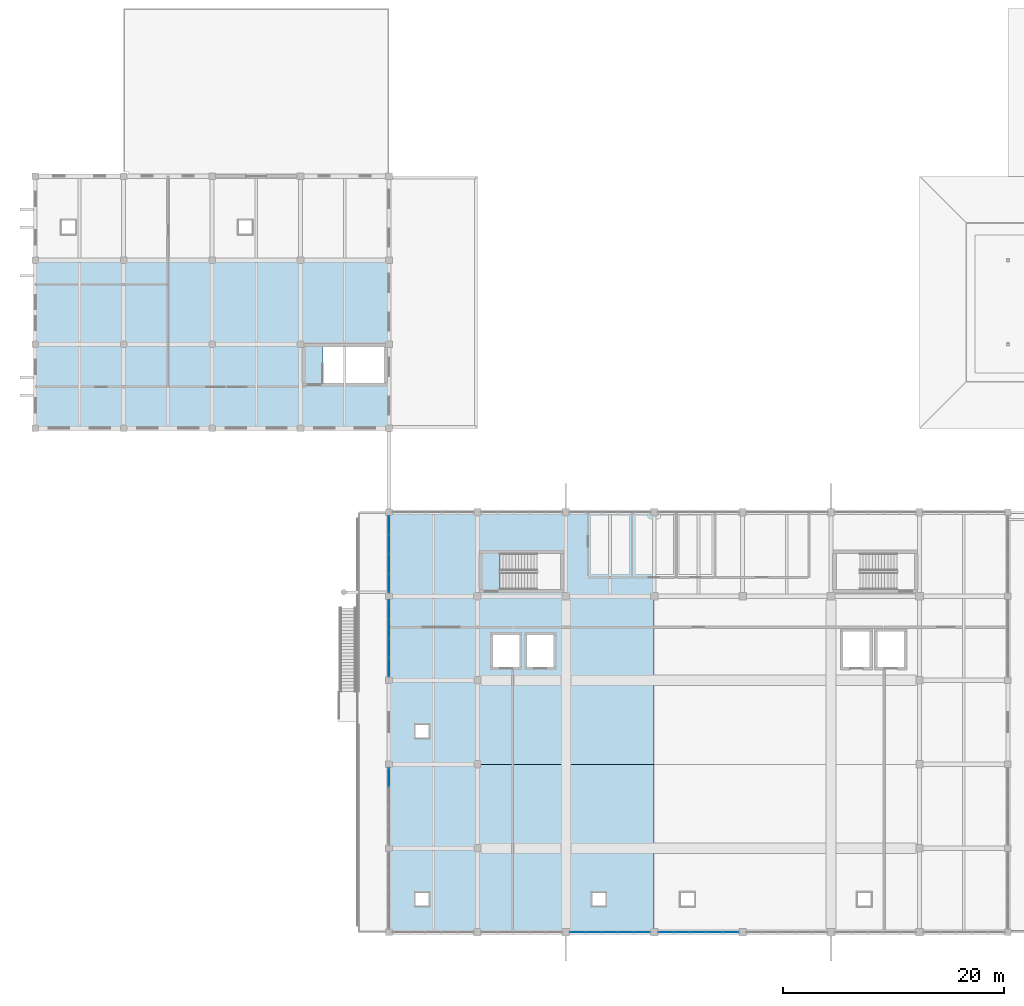
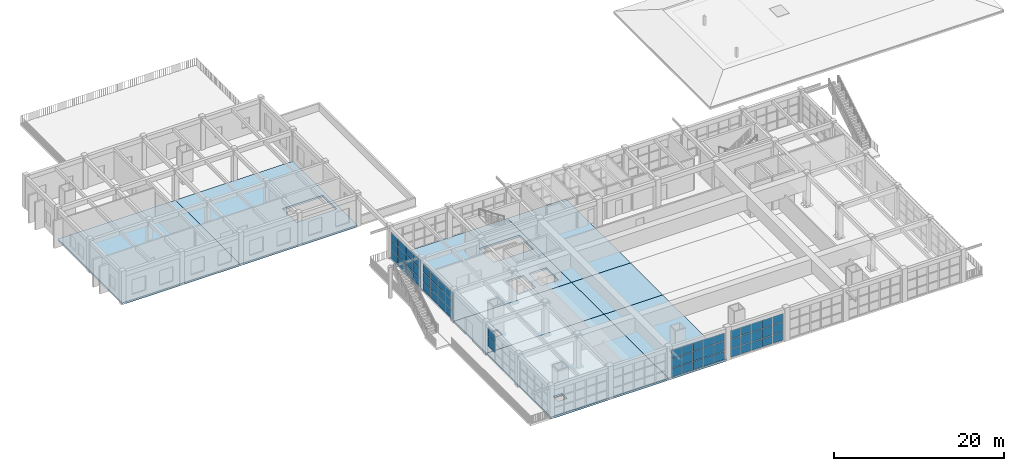
# One storey, part 30 of 50: 56 plates, 8 slabs, 5 elements without a shape of their own.
"""IFC4 building model written with IfcOpenShell, lengths in metres."""

from ifc_helpers import new_model, si_unit, direction, frame, origin, origin_2d, place, context, subcontext, project, spatial, polyline, rectangle, outline, extrude, material, layer, layer_set, type_object, element, aggregate, save


model = new_model("IFC4")

# Units and contexts
model_context = context("Model", 3, precision=1e-05, world=origin(), true_north=direction((0.0, 1.0)))
body_context = subcontext(model_context, "Body", "Model", "MODEL_VIEW")
ifc_project = project(units=[si_unit("LENGTHUNIT", "METRE"), si_unit("AREAUNIT", "SQUARE_METRE"), si_unit("VOLUMEUNIT", "CUBIC_METRE"), si_unit("PLANEANGLEUNIT", "RADIAN"), si_unit("MASSUNIT", "GRAM", prefix="KILO")], contexts=[model_context])

# Site, building, storey
site_placement = place(None, origin())
site = spatial("IfcSite", under=ifc_project, at=site_placement, CompositionType="ELEMENT")
building_placement = place(site_placement, origin())
building = spatial("IfcBuilding", under=site, at=building_placement, Name="Zantavel Square City Hall", CompositionType="ELEMENT")
storey_placement = place(building_placement, frame((0.0, 0.0, 18.89990234375)))
storey = spatial("IfcBuildingStorey", under=building, at=storey_placement, Name="L05", CompositionType="ELEMENT", Elevation=18.89990234375)

# Slabs
ifc_material_1 = material(Name="Concrete C35/45", Category="concrete")
ifc_layer_1 = layer(ifc_material_1, 0.260009765625, Name="Concrete C35/45")
ifc_layer_set_1 = layer_set([ifc_layer_1], Name="Concrete C35/45")
slab_type_1 = type_object("IfcSlabType", Name="Council & Executive Slab 260mm C35/45", PredefinedType="FLOOR", material=ifc_layer_set_1)
slab_1_placement = place(storey_placement, frame((0.0, 0.0, -0.260009765625)))
element("IfcSlab", 1, at=slab_1_placement, inside=storey, type_object=slab_type_1, Name="L05 Floor Slab SLB-L05-V5M-01", PredefinedType="FLOOR", context=body_context, shape_type="SweptSolid", body=[
    extrude(outline(polyline([(24.0, 76.0), (24.0, 91.199951171875), (40.0, 91.199951171875), (40.0, 76.0), (24.0, 76.0)])), origin(), (0.0, 0.0, 1.0), 0.260009765625),
])
slab_2_placement = place(storey_placement, frame((0.0, 0.0, -0.260009765625)))
element("IfcSlab", 2, at=slab_2_placement, inside=storey, type_object=slab_type_1, Name="L05 Floor Slab SLB-L05-V5M-02", PredefinedType="FLOOR", context=body_context, shape_type="SweptSolid", body=[
    extrude(outline(polyline([(56.0, 76.0), (40.0, 76.0), (40.0, 91.199951171875), (56.0, 91.199951171875), (56.0, 76.0)]), holes=[polyline([(55.530029296875, 83.3701171875), (50.050048828125, 83.3701171875), (50.050048828125, 80.10009765625), (55.530029296875, 80.10009765625), (55.530029296875, 83.3701171875)])]), origin(), (0.0, 0.0, 1.0), 0.260009765625),
])
ifc_material_2 = material(Name="Concrete C40/50", Category="concrete")
ifc_layer_2 = layer(ifc_material_2, 0.27001953125, Name="Concrete C40/50")
ifc_layer_set_2 = layer_set([ifc_layer_2], Name="Concrete C40/50")
slab_type_2 = type_object("IfcSlabType", Name="Council Chamber Acoustic Slab 270mm C40/50", PredefinedType="FLOOR", material=ifc_layer_set_2)
slab_3_placement = place(storey_placement, frame((0.0, 0.0, -0.27001953125)))
element("IfcSlab", 3, at=slab_3_placement, inside=storey, type_object=slab_type_2, Name="L05 Floor Slab SLB-L05-V1-01", PredefinedType="FLOOR", context=body_context, shape_type="SweptSolid", body=[
    extrude(outline(polyline([(56.0, 45.60009765625), (72.0, 45.60009765625), (72.0, 30.39990234375), (56.0, 30.39990234375), (56.0, 45.60009765625)]), holes=[polyline([(59.60009765625, 34.0), (58.39990234375, 34.0), (58.39990234375, 32.800048828125), (59.60009765625, 32.800048828125), (59.60009765625, 34.0)])]), origin(), (0.0, 0.0, 1.0), 0.27001953125),
])
slab_4_placement = place(storey_placement, frame((0.0, 0.0, -0.27001953125)))
element("IfcSlab", 4, at=slab_4_placement, inside=storey, type_object=slab_type_2, Name="L05 Floor Slab SLB-L05-V1-02", PredefinedType="FLOOR", context=body_context, shape_type="SweptSolid", body=[
    extrude(outline(polyline([(80.0, 30.39990234375), (72.0, 30.39990234375), (72.0, 45.60009765625), (80.0, 45.60009765625), (80.0, 30.39990234375)]), holes=[polyline([(75.60009765625, 34.0), (74.39990234375, 34.0), (74.39990234375, 32.800048828125), (75.60009765625, 32.800048828125), (75.60009765625, 34.0)])]), origin(), (0.0, 0.0, 1.0), 0.27001953125),
])
slab_5_placement = place(storey_placement, frame((0.0, 0.0, -0.27001953125)))
element("IfcSlab", 5, at=slab_5_placement, inside=storey, type_object=slab_type_2, Name="L05 Floor Slab SLB-L05-V1-05", PredefinedType="FLOOR", context=body_context, shape_type="SweptSolid", body=[
    extrude(outline(polyline([(72.0, 53.199951171875), (72.0, 45.60009765625), (56.0, 45.60009765625), (56.0, 53.199951171875), (72.0, 53.199951171875)]), holes=[polyline([(59.60009765625, 49.199951171875), (58.39990234375, 49.199951171875), (58.39990234375, 48.0), (59.60009765625, 48.0), (59.60009765625, 49.199951171875)])]), origin(), (0.0, 0.0, 1.0), 0.27001953125),
])
slab_6_placement = place(storey_placement, frame((0.0, 0.0, -0.27001953125)))
element("IfcSlab", 6, at=slab_6_placement, inside=storey, type_object=slab_type_2, Name="L05 Floor Slab SLB-L05-V1-06", PredefinedType="FLOOR", context=body_context, shape_type="SweptSolid", body=[
    extrude(outline(polyline([(80.0, 53.199951171875), (80.0, 45.60009765625), (72.0, 45.60009765625), (72.0, 53.199951171875), (80.0, 53.199951171875)])), origin(), (0.0, 0.0, 1.0), 0.27001953125),
])
slab_7_placement = place(storey_placement, frame((0.0, 0.0, -0.27001953125)))
element("IfcSlab", 7, at=slab_7_placement, inside=storey, type_object=slab_type_2, Name="L05 Floor Slab SLB-L05-V1-09", PredefinedType="FLOOR", context=body_context, shape_type="SweptSolid", body=[
    extrude(outline(polyline([(56.0, 53.199951171875), (56.0, 68.39990234375), (72.0, 68.39990234375), (72.0, 53.199951171875), (56.0, 53.199951171875)]), holes=[polyline([(66.050048828125, 61.39990234375), (71.530029296875, 61.39990234375), (71.530029296875, 64.669921875), (66.050048828125, 64.669921875), (66.050048828125, 61.39990234375)]), polyline([(65.39990234375, 57.300048828125), (65.39990234375, 54.39990234375), (67.800048828125, 54.39990234375), (67.800048828125, 57.300048828125), (65.39990234375, 57.300048828125)]), polyline([(70.89990234375, 57.300048828125), (68.5, 57.300048828125), (68.5, 54.39990234375), (70.89990234375, 54.39990234375), (70.89990234375, 57.300048828125)])]), origin(), (0.0, 0.0, 1.0), 0.27001953125),
])
slab_8_placement = place(storey_placement, frame((0.0, 0.0, -0.27001953125)))
element("IfcSlab", 8, at=slab_8_placement, inside=storey, type_object=slab_type_2, Name="L05 Floor Slab SLB-L05-V1-10", PredefinedType="FLOOR", context=body_context, shape_type="SweptSolid", body=[
    extrude(outline(polyline([(80.0, 68.39990234375), (80.0, 53.199951171875), (72.0, 53.199951171875), (72.0, 68.39990234375), (80.0, 68.39990234375)])), origin(), (0.0, 0.0, 1.0), 0.27001953125),
])

# Curtain wall, plates
ifc_material_3 = material(Name="Anodised aluminium 6063-T6", Category="aluminium")
curtain_wall_type_1 = type_object("IfcCurtainWallType", Name="Curtain Wall TRV1 7300x3970", PredefinedType="USERDEFINED", material=ifc_material_3)
curtain_wall_1_placement = place(storey_placement, origin())
curtain_wall_1 = element("IfcCurtainWall", 9, at=curtain_wall_1_placement, inside=storey, type_object=curtain_wall_type_1, Name="L05 Glazed Curtain Wall CW-L05-136", ObjectType="GLAZED CURTAIN WALL", PredefinedType="USERDEFINED")
ifc_material_4 = material(Name="Tempered safety glass low-E double glazing", Category="glass")
ifc_layer_3 = layer(ifc_material_4, 0.028076171875, Name="Tempered safety glass low-E double glazing")
ifc_layer_set_3 = layer_set([ifc_layer_3], Name="Tempered safety glass low-E double glazing")
plate_type_1 = type_object("IfcPlateType", Name="Low-E Curtain Glazing Panel 1460x1323x28", PredefinedType="CURTAIN_PANEL", material=ifc_layer_set_3)
plate_1_placement = place(storey_placement, frame((86.905029296875, 30.39990234375, 0.06005859375), z_axis=(0.0, 0.0, 1.0), x_axis=(-1.0, 0.0, 0.0)))
plate_1 = element("IfcPlate", 10, at=plate_1_placement, type_object=plate_type_1, Name="CW-136 panel 1.1", PredefinedType="CURTAIN_PANEL", context=body_context, shape_type="SweptSolid", body=[
    extrude(rectangle(XDim=1.3701171875, YDim=0.028076171875, at=origin_2d()), origin(), (0.0, 0.0, 1.0), 1.179931640625),
])
plate_2_placement = place(storey_placement, frame((86.905029296875, 30.39990234375, 1.300048828125), z_axis=(0.0, 0.0, 1.0), x_axis=(-1.0, 0.0, 0.0)))
plate_2 = element("IfcPlate", 11, at=plate_2_placement, type_object=plate_type_1, Name="CW-136 panel 1.2", PredefinedType="CURTAIN_PANEL", context=body_context, shape_type="SweptSolid", body=[
    extrude(rectangle(XDim=1.3701171875, YDim=0.028076171875, at=origin_2d()), origin(), (0.0, 0.0, 1.0), 1.3701171875),
])
plate_3_placement = place(storey_placement, frame((86.905029296875, 30.39990234375, 2.72998046875), z_axis=(0.0, 0.0, 1.0), x_axis=(-1.0, 0.0, 0.0)))
plate_3 = element("IfcPlate", 12, at=plate_3_placement, type_object=plate_type_1, Name="CW-136 panel 1.3", PredefinedType="CURTAIN_PANEL", context=body_context, shape_type="SweptSolid", body=[
    extrude(rectangle(XDim=1.3701171875, YDim=0.028076171875, at=origin_2d()), origin(), (0.0, 0.0, 1.0), 1.179931640625),
])
plate_4_placement = place(storey_placement, frame((85.4599609375, 30.39990234375, 0.06005859375), z_axis=(0.0, 0.0, 1.0), x_axis=(-1.0, 0.0, 0.0)))
plate_4 = element("IfcPlate", 13, at=plate_4_placement, type_object=plate_type_1, Name="CW-136 panel 2.1", PredefinedType="CURTAIN_PANEL", context=body_context, shape_type="SweptSolid", body=[
    extrude(rectangle(XDim=1.39990234375, YDim=0.028076171875, at=origin_2d()), origin(), (0.0, 0.0, 1.0), 1.179931640625),
])
plate_5_placement = place(storey_placement, frame((85.4599609375, 30.39990234375, 1.300048828125), z_axis=(0.0, 0.0, 1.0), x_axis=(-1.0, 0.0, 0.0)))
plate_5 = element("IfcPlate", 14, at=plate_5_placement, type_object=plate_type_1, Name="CW-136 panel 2.2", PredefinedType="CURTAIN_PANEL", context=body_context, shape_type="SweptSolid", body=[
    extrude(rectangle(XDim=1.39990234375, YDim=0.028076171875, at=origin_2d()), origin(), (0.0, 0.0, 1.0), 1.3701171875),
])
plate_6_placement = place(storey_placement, frame((85.4599609375, 30.39990234375, 2.72998046875), z_axis=(0.0, 0.0, 1.0), x_axis=(-1.0, 0.0, 0.0)))
plate_6 = element("IfcPlate", 15, at=plate_6_placement, type_object=plate_type_1, Name="CW-136 panel 2.3", PredefinedType="CURTAIN_PANEL", context=body_context, shape_type="SweptSolid", body=[
    extrude(rectangle(XDim=1.39990234375, YDim=0.028076171875, at=origin_2d()), origin(), (0.0, 0.0, 1.0), 1.179931640625),
])
plate_7_placement = place(storey_placement, frame((84.0, 30.39990234375, 0.06005859375), z_axis=(0.0, 0.0, 1.0), x_axis=(-1.0, 0.0, 0.0)))
plate_7 = element("IfcPlate", 16, at=plate_7_placement, type_object=plate_type_1, Name="CW-136 panel 3.1", PredefinedType="CURTAIN_PANEL", context=body_context, shape_type="SweptSolid", body=[
    extrude(rectangle(XDim=1.39990234375, YDim=0.028076171875, at=origin_2d()), origin(), (0.0, 0.0, 1.0), 1.179931640625),
])
plate_8_placement = place(storey_placement, frame((84.0, 30.39990234375, 1.300048828125), z_axis=(0.0, 0.0, 1.0), x_axis=(-1.0, 0.0, 0.0)))
plate_8 = element("IfcPlate", 17, at=plate_8_placement, type_object=plate_type_1, Name="CW-136 panel 3.2", PredefinedType="CURTAIN_PANEL", context=body_context, shape_type="SweptSolid", body=[
    extrude(rectangle(XDim=1.39990234375, YDim=0.028076171875, at=origin_2d()), origin(), (0.0, 0.0, 1.0), 1.3701171875),
])
plate_9_placement = place(storey_placement, frame((84.0, 30.39990234375, 2.72998046875), z_axis=(0.0, 0.0, 1.0), x_axis=(-1.0, 0.0, 0.0)))
plate_9 = element("IfcPlate", 18, at=plate_9_placement, type_object=plate_type_1, Name="CW-136 panel 3.3", PredefinedType="CURTAIN_PANEL", context=body_context, shape_type="SweptSolid", body=[
    extrude(rectangle(XDim=1.39990234375, YDim=0.028076171875, at=origin_2d()), origin(), (0.0, 0.0, 1.0), 1.179931640625),
])
plate_10_placement = place(storey_placement, frame((82.5400390625, 30.39990234375, 0.06005859375), z_axis=(0.0, 0.0, 1.0), x_axis=(-1.0, 0.0, 0.0)))
plate_10 = element("IfcPlate", 19, at=plate_10_placement, type_object=plate_type_1, Name="CW-136 panel 4.1", PredefinedType="CURTAIN_PANEL", context=body_context, shape_type="SweptSolid", body=[
    extrude(rectangle(XDim=1.39990234375, YDim=0.028076171875, at=origin_2d()), origin(), (0.0, 0.0, 1.0), 1.179931640625),
])
plate_11_placement = place(storey_placement, frame((82.5400390625, 30.39990234375, 1.300048828125), z_axis=(0.0, 0.0, 1.0), x_axis=(-1.0, 0.0, 0.0)))
plate_11 = element("IfcPlate", 20, at=plate_11_placement, type_object=plate_type_1, Name="CW-136 panel 4.2", PredefinedType="CURTAIN_PANEL", context=body_context, shape_type="SweptSolid", body=[
    extrude(rectangle(XDim=1.39990234375, YDim=0.028076171875, at=origin_2d()), origin(), (0.0, 0.0, 1.0), 1.3701171875),
])
plate_12_placement = place(storey_placement, frame((82.5400390625, 30.39990234375, 2.72998046875), z_axis=(0.0, 0.0, 1.0), x_axis=(-1.0, 0.0, 0.0)))
plate_12 = element("IfcPlate", 21, at=plate_12_placement, type_object=plate_type_1, Name="CW-136 panel 4.3", PredefinedType="CURTAIN_PANEL", context=body_context, shape_type="SweptSolid", body=[
    extrude(rectangle(XDim=1.39990234375, YDim=0.028076171875, at=origin_2d()), origin(), (0.0, 0.0, 1.0), 1.179931640625),
])
plate_13_placement = place(storey_placement, frame((81.094970703125, 30.39990234375, 0.06005859375), z_axis=(0.0, 0.0, 1.0), x_axis=(-1.0, 0.0, 0.0)))
plate_13 = element("IfcPlate", 22, at=plate_13_placement, type_object=plate_type_1, Name="CW-136 panel 5.1", PredefinedType="CURTAIN_PANEL", context=body_context, shape_type="SweptSolid", body=[
    extrude(rectangle(XDim=1.3701171875, YDim=0.028076171875, at=origin_2d()), origin(), (0.0, 0.0, 1.0), 1.179931640625),
])
plate_14_placement = place(storey_placement, frame((81.094970703125, 30.39990234375, 1.300048828125), z_axis=(0.0, 0.0, 1.0), x_axis=(-1.0, 0.0, 0.0)))
plate_14 = element("IfcPlate", 23, at=plate_14_placement, type_object=plate_type_1, Name="CW-136 panel 5.2", PredefinedType="CURTAIN_PANEL", context=body_context, shape_type="SweptSolid", body=[
    extrude(rectangle(XDim=1.3701171875, YDim=0.028076171875, at=origin_2d()), origin(), (0.0, 0.0, 1.0), 1.3701171875),
])
plate_15_placement = place(storey_placement, frame((81.094970703125, 30.39990234375, 2.72998046875), z_axis=(0.0, 0.0, 1.0), x_axis=(-1.0, 0.0, 0.0)))
plate_15 = element("IfcPlate", 24, at=plate_15_placement, type_object=plate_type_1, Name="CW-136 panel 5.3", PredefinedType="CURTAIN_PANEL", context=body_context, shape_type="SweptSolid", body=[
    extrude(rectangle(XDim=1.3701171875, YDim=0.028076171875, at=origin_2d()), origin(), (0.0, 0.0, 1.0), 1.179931640625),
])
aggregate(curtain_wall_1, [plate_1, plate_2, plate_3, plate_4, plate_5, plate_6, plate_7, plate_8, plate_9, plate_10, plate_11, plate_12, plate_13, plate_14, plate_15])

curtain_wall_2_placement = place(storey_placement, origin())
curtain_wall_2 = element("IfcCurtainWall", 25, at=curtain_wall_2_placement, inside=storey, type_object=curtain_wall_type_1, Name="L05 Glazed Curtain Wall CW-L05-137", ObjectType="GLAZED CURTAIN WALL", PredefinedType="USERDEFINED")
plate_16_placement = place(storey_placement, frame((78.905029296875, 30.39990234375, 0.06005859375), z_axis=(0.0, 0.0, 1.0), x_axis=(-1.0, 0.0, 0.0)))
plate_16 = element("IfcPlate", 26, at=plate_16_placement, type_object=plate_type_1, Name="CW-137 panel 1.1", PredefinedType="CURTAIN_PANEL", context=body_context, shape_type="SweptSolid", body=[
    extrude(rectangle(XDim=1.3701171875, YDim=0.028076171875, at=origin_2d()), origin(), (0.0, 0.0, 1.0), 1.179931640625),
])
plate_17_placement = place(storey_placement, frame((78.905029296875, 30.39990234375, 1.300048828125), z_axis=(0.0, 0.0, 1.0), x_axis=(-1.0, 0.0, 0.0)))
plate_17 = element("IfcPlate", 27, at=plate_17_placement, type_object=plate_type_1, Name="CW-137 panel 1.2", PredefinedType="CURTAIN_PANEL", context=body_context, shape_type="SweptSolid", body=[
    extrude(rectangle(XDim=1.3701171875, YDim=0.028076171875, at=origin_2d()), origin(), (0.0, 0.0, 1.0), 1.3701171875),
])
plate_18_placement = place(storey_placement, frame((78.905029296875, 30.39990234375, 2.72998046875), z_axis=(0.0, 0.0, 1.0), x_axis=(-1.0, 0.0, 0.0)))
plate_18 = element("IfcPlate", 28, at=plate_18_placement, type_object=plate_type_1, Name="CW-137 panel 1.3", PredefinedType="CURTAIN_PANEL", context=body_context, shape_type="SweptSolid", body=[
    extrude(rectangle(XDim=1.3701171875, YDim=0.028076171875, at=origin_2d()), origin(), (0.0, 0.0, 1.0), 1.179931640625),
])
plate_19_placement = place(storey_placement, frame((77.4599609375, 30.39990234375, 0.06005859375), z_axis=(0.0, 0.0, 1.0), x_axis=(-1.0, 0.0, 0.0)))
plate_19 = element("IfcPlate", 29, at=plate_19_placement, type_object=plate_type_1, Name="CW-137 panel 2.1", PredefinedType="CURTAIN_PANEL", context=body_context, shape_type="SweptSolid", body=[
    extrude(rectangle(XDim=1.39990234375, YDim=0.028076171875, at=origin_2d()), origin(), (0.0, 0.0, 1.0), 1.179931640625),
])
plate_20_placement = place(storey_placement, frame((77.4599609375, 30.39990234375, 1.300048828125), z_axis=(0.0, 0.0, 1.0), x_axis=(-1.0, 0.0, 0.0)))
plate_20 = element("IfcPlate", 30, at=plate_20_placement, type_object=plate_type_1, Name="CW-137 panel 2.2", PredefinedType="CURTAIN_PANEL", context=body_context, shape_type="SweptSolid", body=[
    extrude(rectangle(XDim=1.39990234375, YDim=0.028076171875, at=origin_2d()), origin(), (0.0, 0.0, 1.0), 1.3701171875),
])
plate_21_placement = place(storey_placement, frame((77.4599609375, 30.39990234375, 2.72998046875), z_axis=(0.0, 0.0, 1.0), x_axis=(-1.0, 0.0, 0.0)))
plate_21 = element("IfcPlate", 31, at=plate_21_placement, type_object=plate_type_1, Name="CW-137 panel 2.3", PredefinedType="CURTAIN_PANEL", context=body_context, shape_type="SweptSolid", body=[
    extrude(rectangle(XDim=1.39990234375, YDim=0.028076171875, at=origin_2d()), origin(), (0.0, 0.0, 1.0), 1.179931640625),
])
plate_22_placement = place(storey_placement, frame((76.0, 30.39990234375, 0.06005859375), z_axis=(0.0, 0.0, 1.0), x_axis=(-1.0, 0.0, 0.0)))
plate_22 = element("IfcPlate", 32, at=plate_22_placement, type_object=plate_type_1, Name="CW-137 panel 3.1", PredefinedType="CURTAIN_PANEL", context=body_context, shape_type="SweptSolid", body=[
    extrude(rectangle(XDim=1.39990234375, YDim=0.028076171875, at=origin_2d()), origin(), (0.0, 0.0, 1.0), 1.179931640625),
])
plate_23_placement = place(storey_placement, frame((76.0, 30.39990234375, 1.300048828125), z_axis=(0.0, 0.0, 1.0), x_axis=(-1.0, 0.0, 0.0)))
plate_23 = element("IfcPlate", 33, at=plate_23_placement, type_object=plate_type_1, Name="CW-137 panel 3.2", PredefinedType="CURTAIN_PANEL", context=body_context, shape_type="SweptSolid", body=[
    extrude(rectangle(XDim=1.39990234375, YDim=0.028076171875, at=origin_2d()), origin(), (0.0, 0.0, 1.0), 1.3701171875),
])
plate_24_placement = place(storey_placement, frame((76.0, 30.39990234375, 2.72998046875), z_axis=(0.0, 0.0, 1.0), x_axis=(-1.0, 0.0, 0.0)))
plate_24 = element("IfcPlate", 34, at=plate_24_placement, type_object=plate_type_1, Name="CW-137 panel 3.3", PredefinedType="CURTAIN_PANEL", context=body_context, shape_type="SweptSolid", body=[
    extrude(rectangle(XDim=1.39990234375, YDim=0.028076171875, at=origin_2d()), origin(), (0.0, 0.0, 1.0), 1.179931640625),
])
plate_25_placement = place(storey_placement, frame((74.5400390625, 30.39990234375, 0.06005859375), z_axis=(0.0, 0.0, 1.0), x_axis=(-1.0, 0.0, 0.0)))
plate_25 = element("IfcPlate", 35, at=plate_25_placement, type_object=plate_type_1, Name="CW-137 panel 4.1", PredefinedType="CURTAIN_PANEL", context=body_context, shape_type="SweptSolid", body=[
    extrude(rectangle(XDim=1.39990234375, YDim=0.028076171875, at=origin_2d()), origin(), (0.0, 0.0, 1.0), 1.179931640625),
])
plate_26_placement = place(storey_placement, frame((74.5400390625, 30.39990234375, 1.300048828125), z_axis=(0.0, 0.0, 1.0), x_axis=(-1.0, 0.0, 0.0)))
plate_26 = element("IfcPlate", 36, at=plate_26_placement, type_object=plate_type_1, Name="CW-137 panel 4.2", PredefinedType="CURTAIN_PANEL", context=body_context, shape_type="SweptSolid", body=[
    extrude(rectangle(XDim=1.39990234375, YDim=0.028076171875, at=origin_2d()), origin(), (0.0, 0.0, 1.0), 1.3701171875),
])
plate_27_placement = place(storey_placement, frame((74.5400390625, 30.39990234375, 2.72998046875), z_axis=(0.0, 0.0, 1.0), x_axis=(-1.0, 0.0, 0.0)))
plate_27 = element("IfcPlate", 37, at=plate_27_placement, type_object=plate_type_1, Name="CW-137 panel 4.3", PredefinedType="CURTAIN_PANEL", context=body_context, shape_type="SweptSolid", body=[
    extrude(rectangle(XDim=1.39990234375, YDim=0.028076171875, at=origin_2d()), origin(), (0.0, 0.0, 1.0), 1.179931640625),
])
plate_28_placement = place(storey_placement, frame((73.094970703125, 30.39990234375, 0.06005859375), z_axis=(0.0, 0.0, 1.0), x_axis=(-1.0, 0.0, 0.0)))
plate_28 = element("IfcPlate", 38, at=plate_28_placement, type_object=plate_type_1, Name="CW-137 panel 5.1", PredefinedType="CURTAIN_PANEL", context=body_context, shape_type="SweptSolid", body=[
    extrude(rectangle(XDim=1.3701171875, YDim=0.028076171875, at=origin_2d()), origin(), (0.0, 0.0, 1.0), 1.179931640625),
])
plate_29_placement = place(storey_placement, frame((73.094970703125, 30.39990234375, 1.300048828125), z_axis=(0.0, 0.0, 1.0), x_axis=(-1.0, 0.0, 0.0)))
plate_29 = element("IfcPlate", 39, at=plate_29_placement, type_object=plate_type_1, Name="CW-137 panel 5.2", PredefinedType="CURTAIN_PANEL", context=body_context, shape_type="SweptSolid", body=[
    extrude(rectangle(XDim=1.3701171875, YDim=0.028076171875, at=origin_2d()), origin(), (0.0, 0.0, 1.0), 1.3701171875),
])
plate_30_placement = place(storey_placement, frame((73.094970703125, 30.39990234375, 2.72998046875), z_axis=(0.0, 0.0, 1.0), x_axis=(-1.0, 0.0, 0.0)))
plate_30 = element("IfcPlate", 40, at=plate_30_placement, type_object=plate_type_1, Name="CW-137 panel 5.3", PredefinedType="CURTAIN_PANEL", context=body_context, shape_type="SweptSolid", body=[
    extrude(rectangle(XDim=1.3701171875, YDim=0.028076171875, at=origin_2d()), origin(), (0.0, 0.0, 1.0), 1.179931640625),
])
aggregate(curtain_wall_2, [plate_16, plate_17, plate_18, plate_19, plate_20, plate_21, plate_22, plate_23, plate_24, plate_25, plate_26, plate_27, plate_28, plate_29, plate_30])

curtain_wall_type_2 = type_object("IfcCurtainWallType", Name="Curtain Wall TRV1 7000x3970", PredefinedType="USERDEFINED", material=ifc_material_3)
curtain_wall_3_placement = place(storey_placement, origin())
curtain_wall_3 = element("IfcCurtainWall", 41, at=curtain_wall_3_placement, inside=storey, type_object=curtain_wall_type_2, Name="L05 Glazed Curtain Wall CW-L05-141", ObjectType="GLAZED CURTAIN WALL", PredefinedType="USERDEFINED")
ifc_layer_4 = layer(ifc_material_4, 0.028076171875, Name="Tempered safety glass low-E double glazing")
ifc_layer_set_4 = layer_set([ifc_layer_4], Name="Tempered safety glass low-E double glazing")
plate_type_2 = type_object("IfcPlateType", Name="Low-E Curtain Glazing Panel 1750x1323x28", PredefinedType="CURTAIN_PANEL", material=ifc_layer_set_4)
plate_31_placement = place(storey_placement, frame((56.0, 44.409912109375, 1.300048828125), z_axis=(0.0, 0.0, 1.0), x_axis=(0.0, 1.0, 0.0)))
plate_31 = element("IfcPlate", 42, at=plate_31_placement, type_object=plate_type_2, Name="CW-141 panel 4.2", PredefinedType="CURTAIN_PANEL", context=body_context, shape_type="SweptSolid", body=[
    extrude(rectangle(XDim=1.659912109375, YDim=0.028076171875, at=origin_2d()), origin(), (0.0, 0.0, 1.0), 1.3701171875),
])
plate_32_placement = place(storey_placement, frame((56.0, 44.409912109375, 2.72998046875), z_axis=(0.0, 0.0, 1.0), x_axis=(0.0, 1.0, 0.0)))
plate_32 = element("IfcPlate", 43, at=plate_32_placement, type_object=plate_type_2, Name="CW-141 panel 4.3", PredefinedType="CURTAIN_PANEL", context=body_context, shape_type="SweptSolid", body=[
    extrude(rectangle(XDim=1.659912109375, YDim=0.028076171875, at=origin_2d()), origin(), (0.0, 0.0, 1.0), 1.179931640625),
])
aggregate(curtain_wall_3, [plate_31, plate_32])

curtain_wall_4_placement = place(storey_placement, origin())
curtain_wall_4 = element("IfcCurtainWall", 44, at=curtain_wall_4_placement, inside=storey, type_object=curtain_wall_type_2, Name="L05 Glazed Curtain Wall CW-L05-142", ObjectType="GLAZED CURTAIN WALL", PredefinedType="USERDEFINED")
plate_33_placement = place(storey_placement, frame((56.0, 54.389892578125, 0.06005859375), z_axis=(0.0, 0.0, 1.0), x_axis=(0.0, 1.0, 0.0)))
plate_33 = element("IfcPlate", 45, at=plate_33_placement, type_object=plate_type_2, Name="CW-142 panel 1.1", PredefinedType="CURTAIN_PANEL", context=body_context, shape_type="SweptSolid", body=[
    extrude(rectangle(XDim=1.659912109375, YDim=0.028076171875, at=origin_2d()), origin(), (0.0, 0.0, 1.0), 1.179931640625),
])
plate_34_placement = place(storey_placement, frame((56.0, 54.389892578125, 1.300048828125), z_axis=(0.0, 0.0, 1.0), x_axis=(0.0, 1.0, 0.0)))
plate_34 = element("IfcPlate", 46, at=plate_34_placement, type_object=plate_type_2, Name="CW-142 panel 1.2", PredefinedType="CURTAIN_PANEL", context=body_context, shape_type="SweptSolid", body=[
    extrude(rectangle(XDim=1.659912109375, YDim=0.028076171875, at=origin_2d()), origin(), (0.0, 0.0, 1.0), 1.3701171875),
])
plate_35_placement = place(storey_placement, frame((56.0, 54.389892578125, 2.72998046875), z_axis=(0.0, 0.0, 1.0), x_axis=(0.0, 1.0, 0.0)))
plate_35 = element("IfcPlate", 47, at=plate_35_placement, type_object=plate_type_2, Name="CW-142 panel 1.3", PredefinedType="CURTAIN_PANEL", context=body_context, shape_type="SweptSolid", body=[
    extrude(rectangle(XDim=1.659912109375, YDim=0.028076171875, at=origin_2d()), origin(), (0.0, 0.0, 1.0), 1.179931640625),
])
plate_36_placement = place(storey_placement, frame((56.0, 56.125, 0.06005859375), z_axis=(0.0, 0.0, 1.0), x_axis=(0.0, 1.0, 0.0)))
plate_36 = element("IfcPlate", 48, at=plate_36_placement, type_object=plate_type_2, Name="CW-142 panel 2.1", PredefinedType="CURTAIN_PANEL", context=body_context, shape_type="SweptSolid", body=[
    extrude(rectangle(XDim=1.68994140625, YDim=0.028076171875, at=origin_2d()), origin(), (0.0, 0.0, 1.0), 1.179931640625),
])
plate_37_placement = place(storey_placement, frame((56.0, 56.125, 1.300048828125), z_axis=(0.0, 0.0, 1.0), x_axis=(0.0, 1.0, 0.0)))
plate_37 = element("IfcPlate", 49, at=plate_37_placement, type_object=plate_type_2, Name="CW-142 panel 2.2", PredefinedType="CURTAIN_PANEL", context=body_context, shape_type="SweptSolid", body=[
    extrude(rectangle(XDim=1.68994140625, YDim=0.028076171875, at=origin_2d()), origin(), (0.0, 0.0, 1.0), 1.3701171875),
])
plate_38_placement = place(storey_placement, frame((56.0, 56.125, 2.72998046875), z_axis=(0.0, 0.0, 1.0), x_axis=(0.0, 1.0, 0.0)))
plate_38 = element("IfcPlate", 50, at=plate_38_placement, type_object=plate_type_2, Name="CW-142 panel 2.3", PredefinedType="CURTAIN_PANEL", context=body_context, shape_type="SweptSolid", body=[
    extrude(rectangle(XDim=1.68994140625, YDim=0.028076171875, at=origin_2d()), origin(), (0.0, 0.0, 1.0), 1.179931640625),
])
plate_39_placement = place(storey_placement, frame((56.0, 57.875, 0.06005859375), z_axis=(0.0, 0.0, 1.0), x_axis=(0.0, 1.0, 0.0)))
plate_39 = element("IfcPlate", 51, at=plate_39_placement, type_object=plate_type_2, Name="CW-142 panel 3.1", PredefinedType="CURTAIN_PANEL", context=body_context, shape_type="SweptSolid", body=[
    extrude(rectangle(XDim=1.68994140625, YDim=0.028076171875, at=origin_2d()), origin(), (0.0, 0.0, 1.0), 1.179931640625),
])
plate_40_placement = place(storey_placement, frame((56.0, 57.875, 1.300048828125), z_axis=(0.0, 0.0, 1.0), x_axis=(0.0, 1.0, 0.0)))
plate_40 = element("IfcPlate", 52, at=plate_40_placement, type_object=plate_type_2, Name="CW-142 panel 3.2", PredefinedType="CURTAIN_PANEL", context=body_context, shape_type="SweptSolid", body=[
    extrude(rectangle(XDim=1.68994140625, YDim=0.028076171875, at=origin_2d()), origin(), (0.0, 0.0, 1.0), 1.3701171875),
])
plate_41_placement = place(storey_placement, frame((56.0, 57.875, 2.72998046875), z_axis=(0.0, 0.0, 1.0), x_axis=(0.0, 1.0, 0.0)))
plate_41 = element("IfcPlate", 53, at=plate_41_placement, type_object=plate_type_2, Name="CW-142 panel 3.3", PredefinedType="CURTAIN_PANEL", context=body_context, shape_type="SweptSolid", body=[
    extrude(rectangle(XDim=1.68994140625, YDim=0.028076171875, at=origin_2d()), origin(), (0.0, 0.0, 1.0), 1.179931640625),
])
plate_42_placement = place(storey_placement, frame((56.0, 59.610107421875, 0.06005859375), z_axis=(0.0, 0.0, 1.0), x_axis=(0.0, 1.0, 0.0)))
plate_42 = element("IfcPlate", 54, at=plate_42_placement, type_object=plate_type_2, Name="CW-142 panel 4.1", PredefinedType="CURTAIN_PANEL", context=body_context, shape_type="SweptSolid", body=[
    extrude(rectangle(XDim=1.659912109375, YDim=0.028076171875, at=origin_2d()), origin(), (0.0, 0.0, 1.0), 1.179931640625),
])
plate_43_placement = place(storey_placement, frame((56.0, 59.610107421875, 1.300048828125), z_axis=(0.0, 0.0, 1.0), x_axis=(0.0, 1.0, 0.0)))
plate_43 = element("IfcPlate", 55, at=plate_43_placement, type_object=plate_type_2, Name="CW-142 panel 4.2", PredefinedType="CURTAIN_PANEL", context=body_context, shape_type="SweptSolid", body=[
    extrude(rectangle(XDim=1.659912109375, YDim=0.028076171875, at=origin_2d()), origin(), (0.0, 0.0, 1.0), 1.3701171875),
])
plate_44_placement = place(storey_placement, frame((56.0, 59.610107421875, 2.72998046875), z_axis=(0.0, 0.0, 1.0), x_axis=(0.0, 1.0, 0.0)))
plate_44 = element("IfcPlate", 56, at=plate_44_placement, type_object=plate_type_2, Name="CW-142 panel 4.3", PredefinedType="CURTAIN_PANEL", context=body_context, shape_type="SweptSolid", body=[
    extrude(rectangle(XDim=1.659912109375, YDim=0.028076171875, at=origin_2d()), origin(), (0.0, 0.0, 1.0), 1.179931640625),
])
aggregate(curtain_wall_4, [plate_33, plate_34, plate_35, plate_36, plate_37, plate_38, plate_39, plate_40, plate_41, plate_42, plate_43, plate_44])

curtain_wall_5_placement = place(storey_placement, origin())
curtain_wall_5 = element("IfcCurtainWall", 57, at=curtain_wall_5_placement, inside=storey, type_object=curtain_wall_type_2, Name="L05 Glazed Curtain Wall CW-L05-143", ObjectType="GLAZED CURTAIN WALL", PredefinedType="USERDEFINED")
plate_45_placement = place(storey_placement, frame((56.0, 61.989990234375, 0.06005859375), z_axis=(0.0, 0.0, 1.0), x_axis=(0.0, 1.0, 0.0)))
plate_45 = element("IfcPlate", 58, at=plate_45_placement, type_object=plate_type_2, Name="CW-143 panel 1.1", PredefinedType="CURTAIN_PANEL", context=body_context, shape_type="SweptSolid", body=[
    extrude(rectangle(XDim=1.659912109375, YDim=0.028076171875, at=origin_2d()), origin(), (0.0, 0.0, 1.0), 1.179931640625),
])
plate_46_placement = place(storey_placement, frame((56.0, 61.989990234375, 1.300048828125), z_axis=(0.0, 0.0, 1.0), x_axis=(0.0, 1.0, 0.0)))
plate_46 = element("IfcPlate", 59, at=plate_46_placement, type_object=plate_type_2, Name="CW-143 panel 1.2", PredefinedType="CURTAIN_PANEL", context=body_context, shape_type="SweptSolid", body=[
    extrude(rectangle(XDim=1.659912109375, YDim=0.028076171875, at=origin_2d()), origin(), (0.0, 0.0, 1.0), 1.3701171875),
])
plate_47_placement = place(storey_placement, frame((56.0, 61.989990234375, 2.72998046875), z_axis=(0.0, 0.0, 1.0), x_axis=(0.0, 1.0, 0.0)))
plate_47 = element("IfcPlate", 60, at=plate_47_placement, type_object=plate_type_2, Name="CW-143 panel 1.3", PredefinedType="CURTAIN_PANEL", context=body_context, shape_type="SweptSolid", body=[
    extrude(rectangle(XDim=1.659912109375, YDim=0.028076171875, at=origin_2d()), origin(), (0.0, 0.0, 1.0), 1.179931640625),
])
plate_48_placement = place(storey_placement, frame((56.0, 63.72509765625, 0.06005859375), z_axis=(0.0, 0.0, 1.0), x_axis=(0.0, 1.0, 0.0)))
plate_48 = element("IfcPlate", 61, at=plate_48_placement, type_object=plate_type_2, Name="CW-143 panel 2.1", PredefinedType="CURTAIN_PANEL", context=body_context, shape_type="SweptSolid", body=[
    extrude(rectangle(XDim=1.68994140625, YDim=0.028076171875, at=origin_2d()), origin(), (0.0, 0.0, 1.0), 1.179931640625),
])
plate_49_placement = place(storey_placement, frame((56.0, 63.72509765625, 1.300048828125), z_axis=(0.0, 0.0, 1.0), x_axis=(0.0, 1.0, 0.0)))
plate_49 = element("IfcPlate", 62, at=plate_49_placement, type_object=plate_type_2, Name="CW-143 panel 2.2", PredefinedType="CURTAIN_PANEL", context=body_context, shape_type="SweptSolid", body=[
    extrude(rectangle(XDim=1.68994140625, YDim=0.028076171875, at=origin_2d()), origin(), (0.0, 0.0, 1.0), 1.3701171875),
])
plate_50_placement = place(storey_placement, frame((56.0, 63.72509765625, 2.72998046875), z_axis=(0.0, 0.0, 1.0), x_axis=(0.0, 1.0, 0.0)))
plate_50 = element("IfcPlate", 63, at=plate_50_placement, type_object=plate_type_2, Name="CW-143 panel 2.3", PredefinedType="CURTAIN_PANEL", context=body_context, shape_type="SweptSolid", body=[
    extrude(rectangle(XDim=1.68994140625, YDim=0.028076171875, at=origin_2d()), origin(), (0.0, 0.0, 1.0), 1.179931640625),
])
plate_51_placement = place(storey_placement, frame((56.0, 65.47509765625, 0.06005859375), z_axis=(0.0, 0.0, 1.0), x_axis=(0.0, 1.0, 0.0)))
plate_51 = element("IfcPlate", 64, at=plate_51_placement, type_object=plate_type_2, Name="CW-143 panel 3.1", PredefinedType="CURTAIN_PANEL", context=body_context, shape_type="SweptSolid", body=[
    extrude(rectangle(XDim=1.68994140625, YDim=0.028076171875, at=origin_2d()), origin(), (0.0, 0.0, 1.0), 1.179931640625),
])
plate_52_placement = place(storey_placement, frame((56.0, 65.47509765625, 1.300048828125), z_axis=(0.0, 0.0, 1.0), x_axis=(0.0, 1.0, 0.0)))
plate_52 = element("IfcPlate", 65, at=plate_52_placement, type_object=plate_type_2, Name="CW-143 panel 3.2", PredefinedType="CURTAIN_PANEL", context=body_context, shape_type="SweptSolid", body=[
    extrude(rectangle(XDim=1.68994140625, YDim=0.028076171875, at=origin_2d()), origin(), (0.0, 0.0, 1.0), 1.3701171875),
])
plate_53_placement = place(storey_placement, frame((56.0, 65.47509765625, 2.72998046875), z_axis=(0.0, 0.0, 1.0), x_axis=(0.0, 1.0, 0.0)))
plate_53 = element("IfcPlate", 66, at=plate_53_placement, type_object=plate_type_2, Name="CW-143 panel 3.3", PredefinedType="CURTAIN_PANEL", context=body_context, shape_type="SweptSolid", body=[
    extrude(rectangle(XDim=1.68994140625, YDim=0.028076171875, at=origin_2d()), origin(), (0.0, 0.0, 1.0), 1.179931640625),
])
plate_54_placement = place(storey_placement, frame((56.0, 67.2099609375, 0.06005859375), z_axis=(0.0, 0.0, 1.0), x_axis=(0.0, 1.0, 0.0)))
plate_54 = element("IfcPlate", 67, at=plate_54_placement, type_object=plate_type_2, Name="CW-143 panel 4.1", PredefinedType="CURTAIN_PANEL", context=body_context, shape_type="SweptSolid", body=[
    extrude(rectangle(XDim=1.659912109375, YDim=0.028076171875, at=origin_2d()), origin(), (0.0, 0.0, 1.0), 1.179931640625),
])
plate_55_placement = place(storey_placement, frame((56.0, 67.2099609375, 1.300048828125), z_axis=(0.0, 0.0, 1.0), x_axis=(0.0, 1.0, 0.0)))
plate_55 = element("IfcPlate", 68, at=plate_55_placement, type_object=plate_type_2, Name="CW-143 panel 4.2", PredefinedType="CURTAIN_PANEL", context=body_context, shape_type="SweptSolid", body=[
    extrude(rectangle(XDim=1.659912109375, YDim=0.028076171875, at=origin_2d()), origin(), (0.0, 0.0, 1.0), 1.3701171875),
])
plate_56_placement = place(storey_placement, frame((56.0, 67.2099609375, 2.72998046875), z_axis=(0.0, 0.0, 1.0), x_axis=(0.0, 1.0, 0.0)))
plate_56 = element("IfcPlate", 69, at=plate_56_placement, type_object=plate_type_2, Name="CW-143 panel 4.3", PredefinedType="CURTAIN_PANEL", context=body_context, shape_type="SweptSolid", body=[
    extrude(rectangle(XDim=1.659912109375, YDim=0.028076171875, at=origin_2d()), origin(), (0.0, 0.0, 1.0), 1.179931640625),
])
aggregate(curtain_wall_5, [plate_45, plate_46, plate_47, plate_48, plate_49, plate_50, plate_51, plate_52, plate_53, plate_54, plate_55, plate_56])

save(model, "model.ifc")
